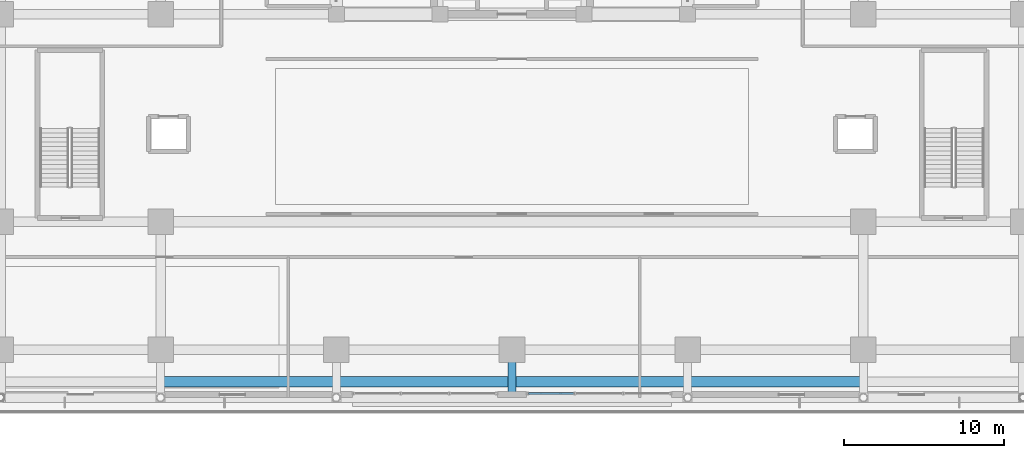
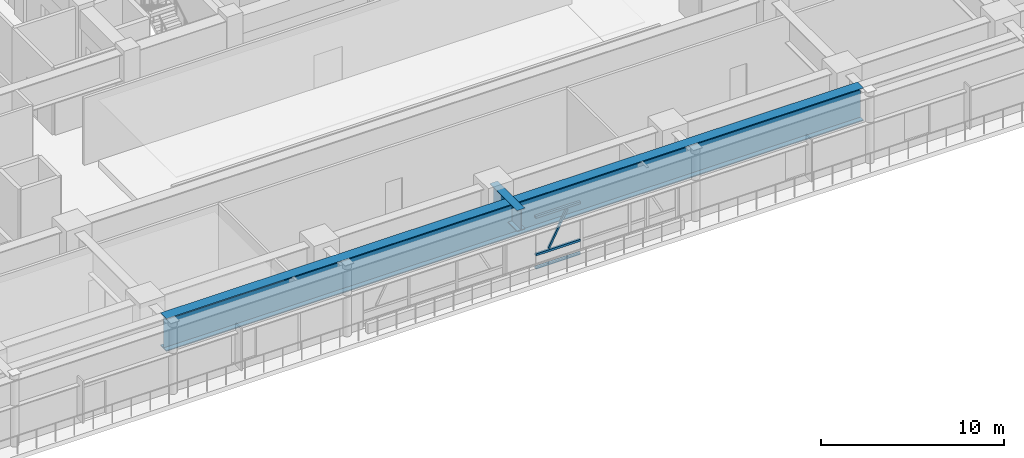
# One storey, part 13 of 38: 4 members, 2 beams, 1 element without a shape of its own.
"""IFC4 building model written with IfcOpenShell, lengths in metres."""

import ifcopenshell
import ifcopenshell.guid

model = None  # the IFC model being written
_history = None  # IfcOwnerHistory: only IFC2X3 demands one
_inside = {}  # id of a spatial element -> (the spatial element, [elements in it])
_under = {}  # id of a project, library or spatial element -> (it, [spatial elements below it])
_declared = {}  # id of a project -> (the project, [libraries it declares])
_typed = {}  # id of a type object -> (the type object, [elements of that type])
_made_of = {}  # id of a material, layer set ... -> (it, [elements and type objects made of it])


def new_model(schema):
    """Start an empty IFC model of exactly this schema.

    Asked for "IFC4X3", IfcOpenShell would pick the latest addendum, in which some entities
    have other attributes; the version numbers below select the first issue.
    IFC2X3 requires an IfcOwnerHistory on every rooted entity: one is made here for all.
    """
    global model, _history
    if schema == "IFC4X3":
        model = ifcopenshell.file(schema_version=(4, 3, 0, 0))
    else:
        model = ifcopenshell.file(schema=schema)
    _inside.clear()
    _under.clear()
    _declared.clear()
    _typed.clear()
    _made_of.clear()
    _history = None
    if model.schema == "IFC2X3":
        org = make("IfcOrganization", Name="unknown")
        user = make(
            "IfcPersonAndOrganization",
            ThePerson=make("IfcPerson", FamilyName="unknown"),
            TheOrganization=org,
        )
        app = make(
            "IfcApplication",
            ApplicationDeveloper=org,
            Version="unknown",
            ApplicationFullName="unknown",
            ApplicationIdentifier="unknown",
        )
        _history = make(
            "IfcOwnerHistory",
            OwningUser=user,
            OwningApplication=app,
            ChangeAction="ADDED",
            CreationDate=0,
        )
    return model


def make(cls, **values):
    """One entity of the class cls with the attributes given. An attribute that is None is left unset."""
    return model.create_entity(
        cls, **{name: value for name, value in values.items() if value is not None}
    )


def rooted(cls, **values):
    """An entity with a GlobalId (a new one), such as an element, a storey or a relation."""
    return make(cls, GlobalId=ifcopenshell.guid.new(), OwnerHistory=_history, **values)


def si_unit(unit_type, name, prefix=None):
    """IfcSIUnit, for example si_unit("LENGTHUNIT", "METRE", prefix="MILLI")."""
    return make("IfcSIUnit", UnitType=unit_type, Prefix=prefix, Name=name)


def assignment(units):
    """IfcUnitAssignment: the units of a project."""
    return None if units is None else make("IfcUnitAssignment", Units=units)


def point(xyz):
    """IfcCartesianPoint."""
    return None if xyz is None else make("IfcCartesianPoint", Coordinates=xyz)


def direction(xyz):
    """IfcDirection."""
    return None if xyz is None else make("IfcDirection", DirectionRatios=xyz)


def frame(location, z_axis=None, x_axis=None):
    """IfcAxis2Placement3D, a coordinate frame: its origin and axes. An axis left out is left unset."""
    return make(
        "IfcAxis2Placement3D",
        Location=point(location),
        Axis=direction(z_axis),
        RefDirection=direction(x_axis),
    )


def frame_2d(location, x_axis=None):
    """IfcAxis2Placement2D, a coordinate frame in the plane: its origin and x axis."""
    return make(
        "IfcAxis2Placement2D", Location=point(location), RefDirection=direction(x_axis)
    )


def origin():
    """The frame at (0, 0, 0) with its axes left unset."""
    return frame((0.0, 0.0, 0.0))


def origin_2d():
    """The frame at (0, 0) in the plane with its x axis left unset."""
    return frame_2d((0.0, 0.0))


def place(relative_to, where):
    """IfcLocalPlacement: puts the frame where relative to a parent placement (None: the world)."""
    return make(
        "IfcLocalPlacement", PlacementRelTo=relative_to, RelativePlacement=where
    )


def context(
    kind, dimensions, precision=None, world=None, true_north=None, identifier=None
):
    """IfcGeometricRepresentationContext, for example the 3D "Model" context."""
    return make(
        "IfcGeometricRepresentationContext",
        ContextIdentifier=identifier,
        ContextType=kind,
        CoordinateSpaceDimension=dimensions,
        Precision=precision,
        WorldCoordinateSystem=world,
        TrueNorth=true_north,
    )


def subcontext(parent, identifier, kind, view, scale=None):
    """IfcGeometricRepresentationSubContext, for example "Body" below "Model"."""
    return make(
        "IfcGeometricRepresentationSubContext",
        ContextIdentifier=identifier,
        ContextType=kind,
        ParentContext=parent,
        TargetScale=scale,
        TargetView=view,
    )


def project(units=None, contexts=None):
    """IfcProject with its units and contexts."""
    return rooted(
        "IfcProject",
        Name="project",
        RepresentationContexts=contexts,
        UnitsInContext=assignment(units),
    )


def spatial(cls, under=None, at=None, **own):
    """A site, building, storey or space (cls), placed at a placement, below another one or the project."""
    s = rooted(cls, ObjectPlacement=at, **own)
    if under is not None:
        _under.setdefault(under.id(), (under, []))[1].append(s)
    return s


def profile(cls, at=None, kind="AREA", **sizes):
    """A parametric profile (cls). Its sizes go by their IFC names, for example OverallWidth=200.0."""
    return make(cls, ProfileType=kind, Position=at, **sizes)


def hollow_rectangle(**sizes):
    """IfcRectangleHollowProfileDef."""
    return profile("IfcRectangleHollowProfileDef", **sizes)


def i_section(**sizes):
    """IfcIShapeProfileDef."""
    return profile("IfcIShapeProfileDef", **sizes)


def extrude(swept, where, along, depth):
    """IfcExtrudedAreaSolid: the profile swept, set in the frame where, extruded along a direction by depth."""
    return make(
        "IfcExtrudedAreaSolid",
        SweptArea=swept,
        Position=where,
        ExtrudedDirection=direction(along),
        Depth=depth,
    )


def shape(context_of_items, identifier, shape_type, items):
    """IfcShapeRepresentation: the items that make up one representation, for example the "Body"."""
    return make(
        "IfcShapeRepresentation",
        ContextOfItems=context_of_items,
        RepresentationIdentifier=identifier,
        RepresentationType=shape_type,
        Items=items,
    )


def source(mapping_origin, context_of_items, identifier, shape_type, items):
    """IfcRepresentationMap: a shape defined once, which mapped items show again and again."""
    return make(
        "IfcRepresentationMap",
        MappingOrigin=mapping_origin,
        MappedRepresentation=shape(context_of_items, identifier, shape_type, items),
    )


def transform(
    local_origin,
    x_axis=None,
    y_axis=None,
    z_axis=None,
    scale=None,
    scale2=None,
    scale3=None,
    uniform=True,
):
    """IfcCartesianTransformationOperator3D, or its non-uniform kind. x_axis, y_axis, z_axis: its Axis1, 2, 3."""
    if uniform:
        return make(
            "IfcCartesianTransformationOperator3D",
            Axis1=direction(x_axis),
            Axis2=direction(y_axis),
            LocalOrigin=point(local_origin),
            Scale=scale,
            Axis3=direction(z_axis),
        )
    return make(
        "IfcCartesianTransformationOperator3DnonUniform",
        Axis1=direction(x_axis),
        Axis2=direction(y_axis),
        LocalOrigin=point(local_origin),
        Scale=scale,
        Axis3=direction(z_axis),
        Scale2=scale2,
        Scale3=scale3,
    )


def mapped(mapping_source, mapping_target):
    """IfcMappedItem: shows the shape of a source again, moved by a transform."""
    return make(
        "IfcMappedItem", MappingSource=mapping_source, MappingTarget=mapping_target
    )


def material(Name=None, Category=None):
    """IfcMaterial."""
    return make("IfcMaterial", Name=Name, Category=Category)


def material_profile(
    of_material, cross_section, Name=None, Category=None, Priority=None
):
    """IfcMaterialProfile: a cross section and its material."""
    return make(
        "IfcMaterialProfile",
        Name=Name,
        Material=of_material,
        Profile=cross_section,
        Priority=Priority,
        Category=Category,
    )


def profile_set(profiles, Name=None, composite=None):
    """IfcMaterialProfileSet."""
    return make(
        "IfcMaterialProfileSet",
        Name=Name,
        MaterialProfiles=profiles,
        CompositeProfile=composite,
    )


def made_of(thing, what):
    """Note that an element or type object is made of a material, layer set ...; save() writes the relation."""
    if what is not None:
        _made_of.setdefault(what.id(), (what, []))[1].append(thing)
    return thing


def type_object(cls, material=None, **own):
    """A type object (cls), such as IfcWallType, which elements share."""
    return made_of(rooted(cls, **own), material)


def element(
    cls,
    number,
    at=None,
    inside=None,
    cuts=None,
    type_object=None,
    material=None,
    context=None,
    identifier="Body",
    shape_type=None,
    held_by="IfcProductDefinitionShape",
    body=None,
    shapes=None,
    **own,
):
    """One element of the class cls, such as IfcWall. Its Tag is "e" and its number.

    at: its placement. inside: the storey or other place that contains it. cuts: it is an
    opening in that element (IfcRelVoidsElement). A single representation is given by context,
    identifier, shape_type and body (its items); several are given by shapes. held_by: the class
    of the entity that holds the representations. save() writes the other relations.
    """
    e = rooted(cls, Tag="e%d" % number, ObjectPlacement=at, **own)
    if body is not None:
        shapes = [shape(context, identifier, shape_type, body)]
    if shapes is not None:
        e.Representation = make(held_by, Representations=shapes)
    if inside is not None:
        _inside.setdefault(inside.id(), (inside, []))[1].append(e)
    if cuts is not None:
        rooted(
            "IfcRelVoidsElement", RelatingBuildingElement=cuts, RelatedOpeningElement=e
        )
    if type_object is not None:
        _typed.setdefault(type_object.id(), (type_object, []))[1].append(e)
    return made_of(e, material)


def aggregate(whole, parts):
    """IfcRelAggregates: a whole, such as a stair, and the parts it consists of."""
    return rooted("IfcRelAggregates", RelatingObject=whole, RelatedObjects=parts)


def save(model, path):
    """Write the relations noted so far, then the file.

    IfcRelAggregates (storeys below a building ...), IfcRelContainedInSpatialStructure (elements
    in a storey), IfcRelDefinesByType, IfcRelAssociatesMaterial and IfcRelDeclares: one each for
    every whole, place, type object, material and project.
    """
    for whole, parts in _under.values():
        aggregate(whole, parts)
    for where, things in _inside.values():
        rooted(
            "IfcRelContainedInSpatialStructure",
            RelatedElements=things,
            RelatingStructure=where,
        )
    for kind, things in _typed.values():
        rooted("IfcRelDefinesByType", RelatedObjects=things, RelatingType=kind)
    for what, things in _made_of.values():
        rooted("IfcRelAssociatesMaterial", RelatedObjects=things, RelatingMaterial=what)
    for by, libraries in _declared.values():
        rooted("IfcRelDeclares", RelatingContext=by, RelatedDefinitions=libraries)
    model.write(path)


model = new_model("IFC4")

# Units and contexts
model_context = context("Model", 3, precision=1e-05, world=origin(), true_north=direction((0.0, 1.0)))
body_context = subcontext(model_context, "Body", "Model", "MODEL_VIEW")
ifc_project = project(units=[si_unit("LENGTHUNIT", "METRE"), si_unit("AREAUNIT", "SQUARE_METRE"), si_unit("VOLUMEUNIT", "CUBIC_METRE"), si_unit("PLANEANGLEUNIT", "RADIAN"), si_unit("MASSUNIT", "GRAM", prefix="KILO")], contexts=[model_context])

# Site, building, storey
site_placement = place(None, origin())
site = spatial("IfcSite", under=ifc_project, at=site_placement, CompositionType="ELEMENT")
building_placement = place(site_placement, origin())
building = spatial("IfcBuilding", under=site, at=building_placement, Name="Khorayat Bourse Tower", CompositionType="ELEMENT")
storey_placement = place(building_placement, frame((0.0, 0.0, 17.39990234375)))
storey = spatial("IfcBuildingStorey", under=building, at=storey_placement, Name="L03", CompositionType="ELEMENT", Elevation=17.39990234375)

# Beams
ifc_material_1 = material(Name="Steel EN 10025-4 S460M", Category="steel")
ifc_material_profile_1 = material_profile(ifc_material_1, i_section(OverallWidth=0.64990234375, OverallDepth=2.199951171875, WebThickness=0.035888671875, FlangeThickness=0.06494140625, at=origin_2d()), Name="PG 2200x650x36x65")
ifc_profile_set_1 = profile_set([ifc_material_profile_1], Name="Steel EN 10025-4 S460M")
beam_type_1 = type_object("IfcBeamType", Name="BM-TR-2200", PredefinedType="BEAM", material=ifc_profile_set_1)
shared_shape_1 = source(origin(), body_context, "Body", "SweptSolid", [
    extrude(i_section(OverallWidth=0.64990234375, OverallDepth=2.199951171875, WebThickness=0.035888671875, FlangeThickness=0.06494140625, at=origin_2d()), origin(), (0.0, 0.0, 1.0), 44.0),
])
beam_1_placement = place(storey_placement, frame((-22.0, -34.0, 3.380126953125), z_axis=(1.0, 0.0, 0.0), x_axis=(0.0, 1.0, 0.0)))
element("IfcBeam", 1, at=beam_1_placement, inside=storey, type_object=beam_type_1, Name="L03 BM-TR-2200 BM-L03-PGX-033", PredefinedType="BEAM", context=body_context, shape_type="MappedRepresentation", body=[
    mapped(shared_shape_1, transform((0.0, 0.0, 0.0), scale=1.0)),
])
ifc_material_profile_2 = material_profile(ifc_material_1, i_section(OverallWidth=0.5, OverallDepth=1.39990234375, WebThickness=0.02490234375, FlangeThickness=0.050048828125, at=origin_2d()), Name="PG 1400x500x25x50")
ifc_profile_set_2 = profile_set([ifc_material_profile_2], Name="Steel EN 10025-4 S460M")
beam_type_2 = type_object("IfcBeamType", Name="BM-TR-1400", PredefinedType="BEAM", material=ifc_profile_set_2)
shared_shape_2 = source(origin(), body_context, "Body", "SweptSolid", [
    extrude(i_section(OverallWidth=0.5, OverallDepth=1.39990234375, WebThickness=0.02490234375, FlangeThickness=0.050048828125, at=origin_2d()), origin(), (0.0, 0.0, 1.0), 3.0),
])
beam_2_placement = place(storey_placement, frame((0.0, -35.0, 3.780029296875), z_axis=(0.0, 1.0, 0.0), x_axis=(-1.0, 0.0, 0.0)))
element("IfcBeam", 2, at=beam_2_placement, inside=storey, type_object=beam_type_2, Name="L03 BM-TR-1400 BM-L03-PGY-131", PredefinedType="BEAM", context=body_context, shape_type="MappedRepresentation", body=[
    mapped(shared_shape_2, transform((0.0, 0.0, 0.0), scale=1.0)),
])

# Curtain wall, members
ifc_material_2 = material(Name="Aluminium EN AW-6063 T6", Category="aluminium")
curtain_wall_type = type_object("IfcCurtainWallType", Name="CW-SYS-01", PredefinedType="NOTDEFINED", material=ifc_material_2)
curtain_wall_placement = place(storey_placement, origin())
curtain_wall = element("IfcCurtainWall", 3, at=curtain_wall_placement, inside=storey, type_object=curtain_wall_type, Name="L03 Curtain Wall CW-L03-SE", PredefinedType="NOTDEFINED")
ifc_material_profile_3 = material_profile(ifc_material_2, hollow_rectangle(XDim=0.139892578125, YDim=0.139892578125, WallThickness=0.006103515625, at=origin_2d()), Name="ALU 140x140x6")
ifc_profile_set_3 = profile_set([ifc_material_profile_3], Name="Aluminium EN AW-6063 T6")
member_type_1 = type_object("IfcMemberType", Name="CWT-HORZ-140", PredefinedType="USERDEFINED", material=ifc_profile_set_3)
shared_shape_3 = source(origin(), body_context, "Body", "SweptSolid", [
    extrude(hollow_rectangle(XDim=0.139892578125, YDim=0.139892578125, WallThickness=0.006103515625, at=origin_2d()), origin(), (0.0, 0.0, 1.0), 2.8232421875),
])
member_1_placement = place(storey_placement, frame((1.0400390625, -34.742919921875, 0.070068359375), z_axis=(1.0, 0.0, 0.0), x_axis=(0.0, 1.0, 0.0)))
member_1 = element("IfcMember", 4, at=member_1_placement, type_object=member_type_1, Name="CW-L03-SE Horizontal Transom 1-1", ObjectType="TRANSOM", PredefinedType="USERDEFINED", context=body_context, shape_type="MappedRepresentation", body=[
    mapped(shared_shape_3, transform((0.0, 0.0, 0.0), scale=1.0)),
])
member_2_placement = place(storey_placement, frame((1.0400390625, -34.742919921875, 0.9501953125), z_axis=(1.0, 0.0, 0.0), x_axis=(0.0, 1.0, 0.0)))
member_2 = element("IfcMember", 5, at=member_2_placement, type_object=member_type_1, Name="CW-L03-SE Horizontal Transom 1-2", ObjectType="TRANSOM", PredefinedType="USERDEFINED", context=body_context, shape_type="MappedRepresentation", body=[
    mapped(shared_shape_3, transform((0.0, 0.0, 0.0), scale=1.0)),
])
member_3_placement = place(storey_placement, frame((1.0400390625, -34.742919921875, 3.460205078125), z_axis=(1.0, 0.0, 0.0), x_axis=(0.0, 1.0, 0.0)))
member_3 = element("IfcMember", 6, at=member_3_placement, type_object=member_type_1, Name="CW-L03-SE Horizontal Transom 1-3", ObjectType="TRANSOM", PredefinedType="USERDEFINED", context=body_context, shape_type="MappedRepresentation", body=[
    mapped(shared_shape_3, transform((0.0, 0.0, 0.0), scale=1.0)),
])
ifc_material_profile_4 = material_profile(ifc_material_2, hollow_rectangle(XDim=0.1201171875, YDim=0.1201171875, WallThickness=0.0048828125, at=origin_2d()), Name="ALU 120x120x5")
ifc_profile_set_4 = profile_set([ifc_material_profile_4], Name="Aluminium EN AW-6063 T6")
member_type_2 = type_object("IfcMemberType", Name="CWM-DIAG-120", PredefinedType="MULLION", material=ifc_profile_set_4)
shared_shape_4 = source(origin(), body_context, "Body", "SweptSolid", [
    extrude(hollow_rectangle(XDim=0.1201171875, YDim=0.1201171875, WallThickness=0.0048828125, at=origin_2d()), origin(), (0.0, 0.0, 1.0), 2.497314453125),
])
member_4_placement = place(storey_placement, frame((1.8701171875, -34.742919921875, 1.10009765625), z_axis=(0.465730316081, 0.0, 0.884926704695), x_axis=(0.0, 1.0, 0.0)))
member_4 = element("IfcMember", 7, at=member_4_placement, type_object=member_type_2, Name="CW-L03-SE Faceted Diagonal Mullion 1", PredefinedType="MULLION", context=body_context, shape_type="MappedRepresentation", body=[
    mapped(shared_shape_4, transform((0.0, 0.0, 0.0), scale=1.0)),
])
aggregate(curtain_wall, [member_1, member_2, member_3, member_4])

save(model, "model.ifc")
